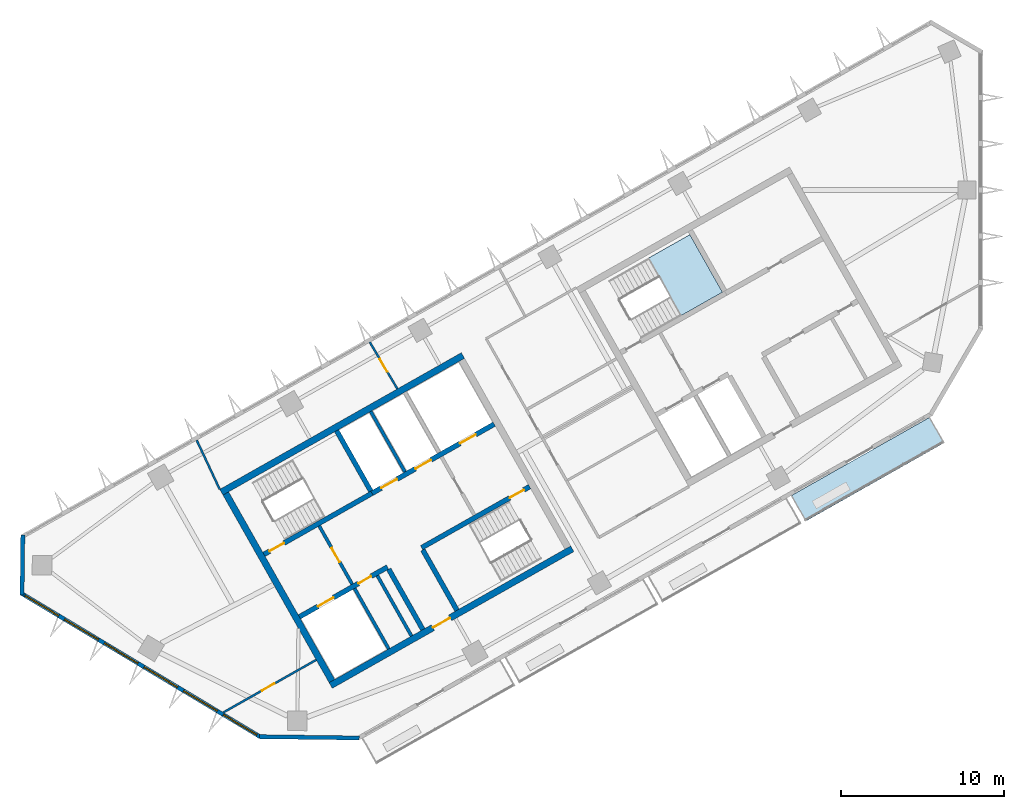
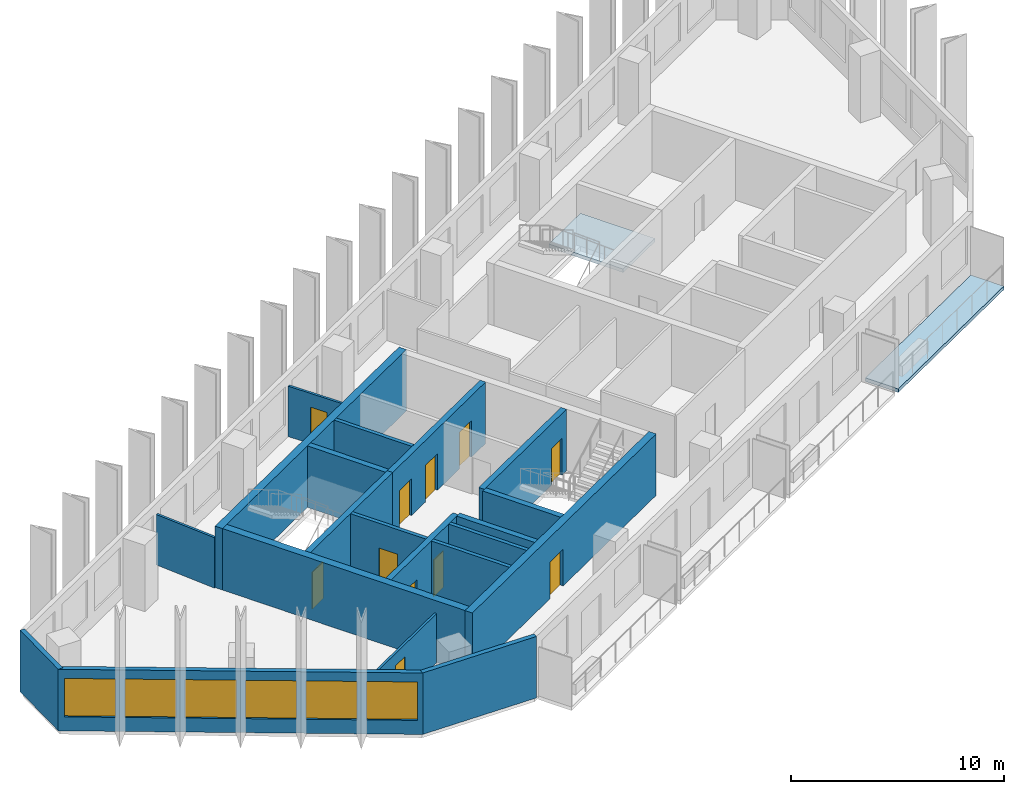
# One storey, part 2 of 8: 20 walls, 11 doors, 6 windows, 2 slabs, 17 openings, 1 element without a shape of its own.
"""IFC4 building model written with IfcOpenShell, lengths in metres."""

from ifc_helpers import new_model, si_unit, direction, frame, frame_2d, origin, place, context, subcontext, project, spatial, polyline, rectangle, outline, extrude, material, layer, layer_set, type_object, element, fill, aggregate, save


model = new_model("IFC4")

# Units and contexts
model_context = context("Model", 3, precision=1e-05, world=origin(), true_north=direction((0.0, 1.0)))
body_context = subcontext(model_context, "Body", "Model", "MODEL_VIEW")
ifc_project = project(units=[si_unit("LENGTHUNIT", "METRE"), si_unit("AREAUNIT", "SQUARE_METRE"), si_unit("VOLUMEUNIT", "CUBIC_METRE"), si_unit("PLANEANGLEUNIT", "RADIAN"), si_unit("MASSUNIT", "GRAM", prefix="KILO")], contexts=[model_context])

# Site, building, storey
site_placement = place(None, origin())
site = spatial("IfcSite", under=ifc_project, at=site_placement, CompositionType="ELEMENT")
building_placement = place(site_placement, origin())
building = spatial("IfcBuilding", under=site, at=building_placement, Name="Binnacle Exchange Tower", CompositionType="ELEMENT")
storey_placement = place(building_placement, frame((0.0, 0.0, 277.89990234375)))
storey = spatial("IfcBuildingStorey", under=building, at=storey_placement, Name="L62", CompositionType="ELEMENT", Elevation=277.89990234375)

# Slab
ifc_material_1 = material(Name="Concrete C35/45", Category="concrete")
ifc_layer_1 = layer(ifc_material_1, 0.199951171875)
ifc_layer_set_1 = layer_set([ifc_layer_1], Name="BALCONY SLAB 200")
slab_type_1 = type_object("IfcSlabType", Name="BALCONY SLAB 200", PredefinedType="FLOOR", material=ifc_layer_set_1)
slab_1_placement = place(storey_placement, frame((0.0, 0.0, -0.199951171875)))
element("IfcSlab", 1, at=slab_1_placement, inside=storey, type_object=slab_type_1, Name="Balcony BA-H07-03 L62", PredefinedType="FLOOR", context=body_context, shape_type="SweptSolid", body=[
    extrude(outline(polyline([(-11.616943359375, 41.28369140625), (-3.115234375, 46.093994140625), (-2.22900390625, 44.527099609375), (-10.730712890625, 39.717041015625), (-11.616943359375, 41.28369140625)])), origin(), (0.0, 0.0, 1.0), 0.199951171875),
])

# Stair, slab
stair_type = type_object("IfcStairType", Name="STAIR 22 RISERS 173", PredefinedType="HALF_TURN_STAIR", material=ifc_material_1)
stair_placement = place(storey_placement, origin())
stair = element("IfcStair", 2, at=stair_placement, inside=storey, type_object=stair_type, Name="L62 Escape stair C1", PredefinedType="HALF_TURN_STAIR")
ifc_layer_2 = layer(ifc_material_1, 0.199951171875)
ifc_layer_set_2 = layer_set([ifc_layer_2], Name="STAIR LANDING 200")
slab_type_2 = type_object("IfcSlabType", Name="STAIR LANDING 200", PredefinedType="LANDING", material=ifc_layer_set_2)
slab_2_placement = place(storey_placement, frame((0.0, 0.0, 1.7001953125)))
slab_2 = element("IfcSlab", 3, at=slab_2_placement, type_object=slab_type_2, Name="STC1 landing 1", PredefinedType="LANDING", context=body_context, shape_type="SweptSolid", body=[
    extrude(outline(polyline([(-18.364013671875, 52.31005859375), (-15.822509765625, 53.748046875), (-17.81689453125, 57.27294921875), (-20.3583984375, 55.8349609375), (-18.364013671875, 52.31005859375)])), origin(), (0.0, 0.0, 1.0), 0.199951171875),
])
aggregate(stair, [slab_2])

# Wall, openings, doors
ifc_material_2 = material(Name="Concrete C70/85", Category="concrete")
ifc_layer_3 = layer(ifc_material_2, 0.300048828125)
ifc_layer_set_3 = layer_set([ifc_layer_3], Name="Core wall - front 300")
wall_type_1 = type_object("IfcWallType", Name="Core wall - front 300", PredefinedType="SOLIDWALL", material=ifc_layer_set_3)
wall_1_placement = place(storey_placement, frame((-41.72998046875, 33.862548828125, 0.0), z_axis=(0.0, 0.0, 1.0), x_axis=(0.870350800578, 0.492432212525, 0.0)))
wall_1 = element("IfcWall", 4, at=wall_1_placement, inside=storey, type_object=wall_type_1, Name="Core wall CRWA2", PredefinedType="SOLIDWALL", context=body_context, shape_type="SweptSolid", body=[
    extrude(rectangle(XDim=6.19970703125, YDim=0.300048828125, at=frame_2d((3.099853515625, 0.0))), origin(), (0.0, 0.0, 1.0), 3.52001953125),
])
opening_1_placement = place(wall_1_placement, frame((1.300048828125, 0.0, 0.0)))
opening_1 = element("IfcOpeningElement", 5, at=opening_1_placement, cuts=wall_1, Name="Opening LD12", PredefinedType="OPENING", context=body_context, shape_type="SweptSolid", body=[
    extrude(rectangle(XDim=1.10009765625, YDim=2.10009765625, at=frame_2d((0.550048828125, 1.050048828125))), frame((0.0, 0.159912109375, 0.0), z_axis=(0.0, -1.0, 0.0), x_axis=(1.0, 0.0, 0.0)), (0.0, 0.0, 1.0), 0.320068359375),
])
opening_2_placement = place(wall_1_placement, frame((4.14990234375, 0.0, 0.0)))
opening_2 = element("IfcOpeningElement", 6, at=opening_2_placement, cuts=wall_1, Name="Opening DA14", PredefinedType="OPENING", context=body_context, shape_type="SweptSolid", body=[
    extrude(rectangle(XDim=0.89990234375, YDim=2.10009765625, at=frame_2d((0.449951171875, 1.050048828125))), frame((0.0, 0.159912109375, 0.0), z_axis=(0.0, -1.0, 0.0), x_axis=(1.0, 0.0, 0.0)), (0.0, 0.0, 1.0), 0.320068359375),
])
ifc_material_3 = material(Name="Steel door leaf", Category="steel")
door_type_1 = type_object("IfcDoorType", Name="Fire door - lift landing 1100", OperationType="NOTDEFINED", PredefinedType="DOOR", material=ifc_material_3)
door_1_placement = place(opening_1_placement, origin())
door_1 = element("IfcDoor", 7, at=door_1_placement, inside=storey, type_object=door_type_1, Name="Landing door LD12 L62", OperationType="DOUBLE_DOOR_SLIDING", OverallHeight=2.10009765625, OverallWidth=1.10009765625, PredefinedType="DOOR", context=body_context, shape_type="SweptSolid", body=[
    extrude(rectangle(XDim=1.10009765625, YDim=2.10009765625, at=frame_2d((0.550048828125, 1.050048828125))), frame((0.0, 0.02490234375, 0.0), z_axis=(0.0, -1.0, 0.0), x_axis=(1.0, 0.0, 0.0)), (0.0, 0.0, 1.0), 0.050048828125),
])
fill(opening_1, door_1)
door_type_2 = type_object("IfcDoorType", Name="Fire door 900", OperationType="NOTDEFINED", PredefinedType="DOOR", material=ifc_material_3)
door_2_placement = place(opening_2_placement, frame((0.89990234375, 0.0, 0.0), z_axis=(0.0, 0.0, 1.0), x_axis=(-1.0, 0.0, 0.0)))
door_2 = element("IfcDoor", 8, at=door_2_placement, inside=storey, type_object=door_type_2, Name="Core room door IT STORE", OperationType="SINGLE_SWING_LEFT", OverallHeight=2.10009765625, OverallWidth=0.89990234375, PredefinedType="DOOR", context=body_context, shape_type="SweptSolid", body=[
    extrude(rectangle(XDim=0.89990234375, YDim=2.10009765625, at=frame_2d((0.449951171875, 1.050048828125))), frame((0.0, 0.02490234375, 0.0), z_axis=(0.0, -1.0, 0.0), x_axis=(1.0, 0.0, 0.0)), (0.0, 0.0, 1.0), 0.050048828125),
])
fill(opening_2, door_2)

wall_2_placement = place(storey_placement, frame((-37.281982421875, 41.4345703125, 0.0), z_axis=(0.0, 0.0, 1.0), x_axis=(0.870361315115, 0.492413628113, 0.0)))
wall_2 = element("IfcWall", 9, at=wall_2_placement, inside=storey, type_object=wall_type_1, Name="Core wall CRWA5", PredefinedType="SOLIDWALL", context=body_context, shape_type="SweptSolid", body=[
    extrude(rectangle(XDim=8.599609375, YDim=0.300048828125, at=frame_2d((4.2998046875, 0.0))), origin(), (0.0, 0.0, 1.0), 3.52001953125),
])
opening_3_placement = place(wall_2_placement, frame((0.650146484375, 0.0, 0.0)))
opening_3 = element("IfcOpeningElement", 10, at=opening_3_placement, cuts=wall_2, Name="Opening LD9", PredefinedType="OPENING", context=body_context, shape_type="SweptSolid", body=[
    extrude(rectangle(XDim=1.10009765625, YDim=2.10009765625, at=frame_2d((0.550048828125, 1.050048828125))), frame((0.0, 0.159912109375, 0.0), z_axis=(0.0, -1.0, 0.0), x_axis=(1.0, 0.0, 0.0)), (0.0, 0.0, 1.0), 0.320068359375),
])
opening_4_placement = place(wall_2_placement, frame((3.050048828125, 0.0, 0.0)))
opening_4 = element("IfcOpeningElement", 11, at=opening_4_placement, cuts=wall_2, Name="Opening LD10", PredefinedType="OPENING", context=body_context, shape_type="SweptSolid", body=[
    extrude(rectangle(XDim=1.10009765625, YDim=2.10009765625, at=frame_2d((0.550048828125, 1.050048828125))), frame((0.0, 0.159912109375, 0.0), z_axis=(0.0, -1.0, 0.0), x_axis=(1.0, 0.0, 0.0)), (0.0, 0.0, 1.0), 0.320068359375),
])
opening_5_placement = place(wall_2_placement, frame((6.199951171875, 0.0, 0.0)))
opening_5 = element("IfcOpeningElement", 12, at=opening_5_placement, cuts=wall_2, Name="Opening LD13", PredefinedType="OPENING", context=body_context, shape_type="SweptSolid", body=[
    extrude(rectangle(XDim=1.10009765625, YDim=2.10009765625, at=frame_2d((0.550048828125, 1.050048828125))), frame((0.0, 0.159912109375, 0.0), z_axis=(0.0, -1.0, 0.0), x_axis=(1.0, 0.0, 0.0)), (0.0, 0.0, 1.0), 0.320068359375),
])
door_3_placement = place(opening_3_placement, origin())
door_3 = element("IfcDoor", 13, at=door_3_placement, inside=storey, type_object=door_type_1, Name="Landing door LD9 L62", OperationType="DOUBLE_DOOR_SLIDING", OverallHeight=2.10009765625, OverallWidth=1.10009765625, PredefinedType="DOOR", context=body_context, shape_type="SweptSolid", body=[
    extrude(rectangle(XDim=1.10009765625, YDim=2.10009765625, at=frame_2d((0.550048828125, 1.050048828125))), frame((0.0, 0.02490234375, 0.0), z_axis=(0.0, -1.0, 0.0), x_axis=(1.0, 0.0, 0.0)), (0.0, 0.0, 1.0), 0.050048828125),
])
fill(opening_3, door_3)
door_4_placement = place(opening_4_placement, origin())
door_4 = element("IfcDoor", 14, at=door_4_placement, inside=storey, type_object=door_type_1, Name="Landing door LD10 L62", OperationType="DOUBLE_DOOR_SLIDING", OverallHeight=2.10009765625, OverallWidth=1.10009765625, PredefinedType="DOOR", context=body_context, shape_type="SweptSolid", body=[
    extrude(rectangle(XDim=1.10009765625, YDim=2.10009765625, at=frame_2d((0.550048828125, 1.050048828125))), frame((0.0, 0.02490234375, 0.0), z_axis=(0.0, -1.0, 0.0), x_axis=(1.0, 0.0, 0.0)), (0.0, 0.0, 1.0), 0.050048828125),
])
fill(opening_4, door_4)
door_5_placement = place(opening_5_placement, origin())
door_5 = element("IfcDoor", 15, at=door_5_placement, inside=storey, type_object=door_type_1, Name="Landing door LD13 L62", OperationType="DOUBLE_DOOR_SLIDING", OverallHeight=2.10009765625, OverallWidth=1.10009765625, PredefinedType="DOOR", context=body_context, shape_type="SweptSolid", body=[
    extrude(rectangle(XDim=1.10009765625, YDim=2.10009765625, at=frame_2d((0.550048828125, 1.050048828125))), frame((0.0, 0.02490234375, 0.0), z_axis=(0.0, -1.0, 0.0), x_axis=(1.0, 0.0, 0.0)), (0.0, 0.0, 1.0), 0.050048828125),
])
fill(opening_5, door_5)

# Wall
wall_3_placement = place(storey_placement, frame((-36.260009765625, 36.784912109375, 0.0), z_axis=(0.0, 0.0, 1.0), x_axis=(0.492422543467, -0.870356271124, 0.0)))
element("IfcWall", 16, at=wall_3_placement, inside=storey, type_object=wall_type_1, Name="Core wall CRWA13", PredefinedType="SOLIDWALL", context=body_context, shape_type="SweptSolid", body=[
    extrude(rectangle(XDim=4.25, YDim=0.300048828125, at=frame_2d((2.125, 0.0))), origin(), (0.0, 0.0, 1.0), 3.52001953125),
])

# Wall, opening, door
ifc_layer_4 = layer(ifc_material_2, 0.39990234375)
ifc_layer_set_4 = layer_set([ifc_layer_4], Name="Core wall - outer 400")
wall_type_2 = type_object("IfcWallType", Name="Core wall - outer 400", PredefinedType="SOLIDWALL", material=ifc_layer_set_4)
wall_4_placement = place(storey_placement, frame((-39.81298828125, 29.661865234375, 0.0), z_axis=(0.0, 0.0, 1.0), x_axis=(0.870350116061, 0.492433422375, 0.0)))
wall_4 = element("IfcWall", 17, at=wall_4_placement, inside=storey, type_object=wall_type_2, Name="Core wall CRWA1", PredefinedType="SOLIDWALL", context=body_context, shape_type="SweptSolid", body=[
    extrude(rectangle(XDim=17.0, YDim=0.39990234375, at=frame_2d((8.5, 0.0))), origin(), (0.0, 0.0, 1.0), 3.52001953125),
])
opening_6_placement = place(wall_4_placement, frame((7.199951171875, 0.0, 0.0)))
opening_6 = element("IfcOpeningElement", 18, at=opening_6_placement, cuts=wall_4, Name="Opening DA7", PredefinedType="OPENING", context=body_context, shape_type="SweptSolid", body=[
    extrude(rectangle(XDim=1.199951171875, YDim=2.10009765625, at=frame_2d((0.60009765625, 1.050048828125))), frame((0.0, 0.2099609375, 0.0), z_axis=(0.0, -1.0, 0.0), x_axis=(1.0, 0.0, 0.0)), (0.0, 0.0, 1.0), 0.419921875),
])
door_type_3 = type_object("IfcDoorType", Name="Fire door 1200", OperationType="NOTDEFINED", PredefinedType="DOOR", material=ifc_material_3)
door_6_placement = place(opening_6_placement, frame((1.199951171875, 0.0, 0.0), z_axis=(0.0, 0.0, 1.0), x_axis=(-1.0, 0.0, 0.0)))
door_6 = element("IfcDoor", 19, at=door_6_placement, inside=storey, type_object=door_type_3, Name="Lift lobby entrance door core A", OperationType="SINGLE_SWING_RIGHT", OverallHeight=2.10009765625, OverallWidth=1.199951171875, PredefinedType="DOOR", context=body_context, shape_type="SweptSolid", body=[
    extrude(rectangle(XDim=1.199951171875, YDim=2.10009765625, at=frame_2d((0.60009765625, 1.050048828125))), frame((0.0, 0.02490234375, 0.0), z_axis=(0.0, -1.0, 0.0), x_axis=(1.0, 0.0, 0.0)), (0.0, 0.0, 1.0), 0.050048828125),
])
fill(opening_6, door_6)

# Walls
wall_5_placement = place(storey_placement, frame((-46.510009765625, 41.498779296875, 0.0), z_axis=(0.0, 0.0, 1.0), x_axis=(0.870356271124, 0.492422543467, 0.0)))
element("IfcWall", 20, at=wall_5_placement, inside=storey, type_object=wall_type_2, Name="Core wall CRWA6", PredefinedType="SOLIDWALL", context=body_context, shape_type="SweptSolid", body=[
    extrude(rectangle(XDim=16.999755859375, YDim=0.39990234375, at=frame_2d((8.5, 0.0))), origin(), (0.0, 0.0, 1.0), 3.52001953125),
])
wall_6_placement = place(storey_placement, frame((-46.237548828125, 41.423095703125, 0.0), z_axis=(0.0, 0.0, 1.0), x_axis=(0.492421663121, -0.870356769198, 0.0)))
element("IfcWall", 21, at=wall_6_placement, inside=storey, type_object=wall_type_2, Name="Core wall CRWA7", PredefinedType="SOLIDWALL", context=body_context, shape_type="SweptSolid", body=[
    extrude(rectangle(XDim=13.199951171875, YDim=0.39990234375, at=frame_2d((6.60009765625, 0.0))), origin(), (0.0, 0.0, 1.0), 3.52001953125),
])

# Wall, opening, door
ifc_layer_5 = layer(ifc_material_2, 0.300048828125)
ifc_layer_set_5 = layer_set([ifc_layer_5], Name="Core wall - stair 300")
wall_type_3 = type_object("IfcWallType", Name="Core wall - stair 300", PredefinedType="SOLIDWALL", material=ifc_layer_set_5)
wall_7_placement = place(storey_placement, frame((-34.2451171875, 38.097412109375, 0.0), z_axis=(0.0, 0.0, 1.0), x_axis=(0.870356351998, 0.492422400523, 0.0)))
wall_7 = element("IfcWall", 22, at=wall_7_placement, inside=storey, type_object=wall_type_3, Name="Core wall CRWA3", PredefinedType="SOLIDWALL", context=body_context, shape_type="SweptSolid", body=[
    extrude(rectangle(XDim=7.60009765625, YDim=0.300048828125, at=frame_2d((3.800048828125, 0.0))), origin(), (0.0, 0.0, 1.0), 3.52001953125),
])
opening_7_placement = place(wall_7_placement, frame((6.199951171875, 0.0, 0.0)))
opening_7 = element("IfcOpeningElement", 23, at=opening_7_placement, cuts=wall_7, Name="Opening DA2", PredefinedType="OPENING", context=body_context, shape_type="SweptSolid", body=[
    extrude(rectangle(XDim=1.0, YDim=2.10009765625, at=frame_2d((0.5, 1.050048828125))), frame((0.0, 0.159912109375, 0.0), z_axis=(0.0, -1.0, 0.0), x_axis=(1.0, 0.0, 0.0)), (0.0, 0.0, 1.0), 0.320068359375),
])
door_type_4 = type_object("IfcDoorType", Name="Fire door 1000", OperationType="NOTDEFINED", PredefinedType="DOOR", material=ifc_material_3)
door_7_placement = place(opening_7_placement, frame((1.0, 0.0, 0.0), z_axis=(0.0, 0.0, 1.0), x_axis=(-1.0, 0.0, 0.0)))
door_7 = element("IfcDoor", 24, at=door_7_placement, inside=storey, type_object=door_type_4, Name="Stair door ST-A2", OperationType="SINGLE_SWING_LEFT", OverallHeight=2.10009765625, OverallWidth=1.0, PredefinedType="DOOR", context=body_context, shape_type="SweptSolid", body=[
    extrude(rectangle(XDim=1.0, YDim=2.10009765625, at=frame_2d((0.5, 1.050048828125))), frame((0.0, 0.02490234375, 0.0), z_axis=(0.0, -1.0, 0.0), x_axis=(1.0, 0.0, 0.0)), (0.0, 0.0, 1.0), 0.050048828125),
])
fill(opening_7, door_7)

wall_8_placement = place(storey_placement, frame((-43.896728515625, 37.692138671875, 0.0), z_axis=(0.0, 0.0, 1.0), x_axis=(0.870356351998, 0.492422400523, 0.0)))
wall_8 = element("IfcWall", 25, at=wall_8_placement, inside=storey, type_object=wall_type_3, Name="Core wall CRWA4", PredefinedType="SOLIDWALL", context=body_context, shape_type="SweptSolid", body=[
    extrude(rectangle(XDim=7.60009765625, YDim=0.300048828125, at=frame_2d((3.800048828125, 0.0))), origin(), (0.0, 0.0, 1.0), 3.52001953125),
])
opening_8_placement = place(wall_8_placement, frame((0.39990234375, 0.0, 0.0)))
opening_8 = element("IfcOpeningElement", 26, at=opening_8_placement, cuts=wall_8, Name="Opening DA1", PredefinedType="OPENING", context=body_context, shape_type="SweptSolid", body=[
    extrude(rectangle(XDim=1.0, YDim=2.10009765625, at=frame_2d((0.5, 1.050048828125))), frame((0.0, 0.159912109375, 0.0), z_axis=(0.0, -1.0, 0.0), x_axis=(1.0, 0.0, 0.0)), (0.0, 0.0, 1.0), 0.320068359375),
])
door_8_placement = place(opening_8_placement, origin())
door_8 = element("IfcDoor", 27, at=door_8_placement, inside=storey, type_object=door_type_4, Name="Stair door ST-A1", OperationType="SINGLE_SWING_LEFT", OverallHeight=2.10009765625, OverallWidth=1.0, PredefinedType="DOOR", context=body_context, shape_type="SweptSolid", body=[
    extrude(rectangle(XDim=1.0, YDim=2.10009765625, at=frame_2d((0.5, 1.050048828125))), frame((0.0, 0.02490234375, 0.0), z_axis=(0.0, -1.0, 0.0), x_axis=(1.0, 0.0, 0.0)), (0.0, 0.0, 1.0), 0.050048828125),
])
fill(opening_8, door_8)

# Walls
for number, where, z_axis, x_axis, name in (
    (28, (-39.44873046875, 45.263916015625, 0.0), (0.0, 0.0, 1.0), (0.492422543467, -0.870356271124, 0.0), "Core wall CRWA14"),
    (29, (-34.171142578125, 37.966796875, 0.0), (0.0, 0.0, 1.0), (0.492422543467, -0.870356271124, 0.0), "Core wall CRWA16"),
):
    element("IfcWall", number, at=place(storey_placement, frame(where, z_axis=z_axis, x_axis=x_axis)), inside=storey, type_object=wall_type_3, Name=name, PredefinedType="SOLIDWALL", context=body_context, shape_type="SweptSolid", body=[
        extrude(rectangle(XDim=4.25, YDim=0.300048828125, at=frame_2d((2.125, 0.0))), origin(), (0.0, 0.0, 1.0), 3.52001953125),
    ])
ifc_material_4 = material(Name="Bronze aluminium cladding", Category="aluminium")
ifc_layer_6 = layer(ifc_material_4, 0.25)
ifc_layer_set_6 = layer_set([ifc_layer_6], Name="External wall - window wall 250")
wall_type_4 = type_object("IfcWallType", Name="External wall - window wall 250", PredefinedType="STANDARD", material=ifc_layer_set_6)
wall_9_placement = place(storey_placement, frame((-58.717041015625, 35.208251953125, 0.0), z_axis=(0.0, 0.0, 1.0), x_axis=(0.01310512158, 0.999914124207, 0.0)))
element("IfcWall", 30, at=wall_9_placement, inside=storey, type_object=wall_type_4, Name="External wall EW-H04 L62", PredefinedType="STANDARD", context=body_context, shape_type="SweptSolid", body=[
    extrude(rectangle(XDim=3.669921875, YDim=0.25, at=frame_2d((1.8349609375, 0.0))), origin(), (0.0, 0.0, 1.0), 3.52001953125),
])

# Wall, openings, windows
wall_10_placement = place(storey_placement, frame((-44.115234375, 26.507080078125, 0.0), z_axis=(0.0, 0.0, 1.0), x_axis=(-0.857166583633, 0.515039268311, 0.0)))
wall_10 = element("IfcWall", 31, at=wall_10_placement, inside=storey, type_object=wall_type_4, Name="External wall EW-H05 L62", PredefinedType="STANDARD", context=body_context, shape_type="SweptSolid", body=[
    extrude(rectangle(XDim=17.105712890625, YDim=0.25, at=frame_2d((8.552734375, 0.0))), origin(), (0.0, 0.0, 1.0), 3.52001953125),
])
opening_9_placement = place(wall_10_placement, frame((14.4169921875, 0.0, 0.800048828125)))
opening_9 = element("IfcOpeningElement", 32, at=opening_9_placement, cuts=wall_10, Name="Opening WR2", PredefinedType="OPENING", context=body_context, shape_type="SweptSolid", body=[
    extrude(rectangle(XDim=2.39990234375, YDim=2.199951171875, at=frame_2d((1.199951171875, 1.10009765625))), frame((0.0, 0.135009765625, 0.0), z_axis=(0.0, -1.0, 0.0), x_axis=(1.0, 0.0, 0.0)), (0.0, 0.0, 1.0), 0.27001953125),
])
opening_10_placement = place(wall_10_placement, frame((11.583740234375, 0.0, 0.800048828125)))
opening_10 = element("IfcOpeningElement", 33, at=opening_10_placement, cuts=wall_10, Name="Opening WR2", PredefinedType="OPENING", context=body_context, shape_type="SweptSolid", body=[
    extrude(rectangle(XDim=2.39990234375, YDim=2.199951171875, at=frame_2d((1.199951171875, 1.10009765625))), frame((0.0, 0.135009765625, 0.0), z_axis=(0.0, -1.0, 0.0), x_axis=(1.0, 0.0, 0.0)), (0.0, 0.0, 1.0), 0.27001953125),
])
opening_11_placement = place(wall_10_placement, frame((8.75048828125, 0.0, 0.800048828125)))
opening_11 = element("IfcOpeningElement", 34, at=opening_11_placement, cuts=wall_10, Name="Opening WR2", PredefinedType="OPENING", context=body_context, shape_type="SweptSolid", body=[
    extrude(rectangle(XDim=2.39990234375, YDim=2.199951171875, at=frame_2d((1.199951171875, 1.10009765625))), frame((0.0, 0.135009765625, 0.0), z_axis=(0.0, -1.0, 0.0), x_axis=(1.0, 0.0, 0.0)), (0.0, 0.0, 1.0), 0.27001953125),
])
opening_12_placement = place(wall_10_placement, frame((5.9169921875, 0.0, 0.800048828125)))
opening_12 = element("IfcOpeningElement", 35, at=opening_12_placement, cuts=wall_10, Name="Opening WR2", PredefinedType="OPENING", context=body_context, shape_type="SweptSolid", body=[
    extrude(rectangle(XDim=2.39990234375, YDim=2.199951171875, at=frame_2d((1.199951171875, 1.10009765625))), frame((0.0, 0.135009765625, 0.0), z_axis=(0.0, -1.0, 0.0), x_axis=(1.0, 0.0, 0.0)), (0.0, 0.0, 1.0), 0.27001953125),
])
opening_13_placement = place(wall_10_placement, frame((3.083740234375, 0.0, 0.800048828125)))
opening_13 = element("IfcOpeningElement", 36, at=opening_13_placement, cuts=wall_10, Name="Opening WR2", PredefinedType="OPENING", context=body_context, shape_type="SweptSolid", body=[
    extrude(rectangle(XDim=2.39990234375, YDim=2.199951171875, at=frame_2d((1.199951171875, 1.10009765625))), frame((0.0, 0.135009765625, 0.0), z_axis=(0.0, -1.0, 0.0), x_axis=(1.0, 0.0, 0.0)), (0.0, 0.0, 1.0), 0.27001953125),
])
opening_14_placement = place(wall_10_placement, frame((0.25048828125, 0.0, 0.800048828125)))
opening_14 = element("IfcOpeningElement", 37, at=opening_14_placement, cuts=wall_10, Name="Opening WR2", PredefinedType="OPENING", context=body_context, shape_type="SweptSolid", body=[
    extrude(rectangle(XDim=2.39990234375, YDim=2.199951171875, at=frame_2d((1.199951171875, 1.10009765625))), frame((0.0, 0.135009765625, 0.0), z_axis=(0.0, -1.0, 0.0), x_axis=(1.0, 0.0, 0.0)), (0.0, 0.0, 1.0), 0.27001953125),
])
ifc_material_5 = material(Name="Bronze anodised aluminium frame", Category="aluminium")
window_type = type_object("IfcWindowType", Name="WR2 WINDOW 2400x2200", PartitioningType="SINGLE_PANEL", PredefinedType="WINDOW", material=ifc_material_5)
window_1_placement = place(opening_9_placement, origin())
window_1 = element("IfcWindow", 38, at=window_1_placement, inside=storey, type_object=window_type, Name="Window WR2 L62", OverallHeight=2.199951171875, OverallWidth=2.39990234375, PartitioningType="SINGLE_PANEL", PredefinedType="WINDOW", context=body_context, shape_type="SweptSolid", body=[
    extrude(rectangle(XDim=2.39990234375, YDim=2.199951171875, at=frame_2d((1.199951171875, 1.10009765625))), frame((0.0, 0.030029296875, 0.0), z_axis=(0.0, -1.0, 0.0), x_axis=(1.0, 0.0, 0.0)), (0.0, 0.0, 1.0), 0.06005859375),
])
fill(opening_9, window_1)
window_2_placement = place(opening_10_placement, origin())
window_2 = element("IfcWindow", 39, at=window_2_placement, inside=storey, type_object=window_type, Name="Window WR2 L62", OverallHeight=2.199951171875, OverallWidth=2.39990234375, PartitioningType="SINGLE_PANEL", PredefinedType="WINDOW", context=body_context, shape_type="SweptSolid", body=[
    extrude(rectangle(XDim=2.39990234375, YDim=2.199951171875, at=frame_2d((1.199951171875, 1.10009765625))), frame((0.0, 0.030029296875, 0.0), z_axis=(0.0, -1.0, 0.0), x_axis=(1.0, 0.0, 0.0)), (0.0, 0.0, 1.0), 0.06005859375),
])
fill(opening_10, window_2)
window_3_placement = place(opening_11_placement, origin())
window_3 = element("IfcWindow", 40, at=window_3_placement, inside=storey, type_object=window_type, Name="Window WR2 L62", OverallHeight=2.199951171875, OverallWidth=2.39990234375, PartitioningType="SINGLE_PANEL", PredefinedType="WINDOW", context=body_context, shape_type="SweptSolid", body=[
    extrude(rectangle(XDim=2.39990234375, YDim=2.199951171875, at=frame_2d((1.199951171875, 1.10009765625))), frame((0.0, 0.030029296875, 0.0), z_axis=(0.0, -1.0, 0.0), x_axis=(1.0, 0.0, 0.0)), (0.0, 0.0, 1.0), 0.06005859375),
])
fill(opening_11, window_3)
window_4_placement = place(opening_12_placement, origin())
window_4 = element("IfcWindow", 41, at=window_4_placement, inside=storey, type_object=window_type, Name="Window WR2 L62", OverallHeight=2.199951171875, OverallWidth=2.39990234375, PartitioningType="SINGLE_PANEL", PredefinedType="WINDOW", context=body_context, shape_type="SweptSolid", body=[
    extrude(rectangle(XDim=2.39990234375, YDim=2.199951171875, at=frame_2d((1.199951171875, 1.10009765625))), frame((0.0, 0.030029296875, 0.0), z_axis=(0.0, -1.0, 0.0), x_axis=(1.0, 0.0, 0.0)), (0.0, 0.0, 1.0), 0.06005859375),
])
fill(opening_12, window_4)
window_5_placement = place(opening_13_placement, origin())
window_5 = element("IfcWindow", 42, at=window_5_placement, inside=storey, type_object=window_type, Name="Window WR2 L62", OverallHeight=2.199951171875, OverallWidth=2.39990234375, PartitioningType="SINGLE_PANEL", PredefinedType="WINDOW", context=body_context, shape_type="SweptSolid", body=[
    extrude(rectangle(XDim=2.39990234375, YDim=2.199951171875, at=frame_2d((1.199951171875, 1.10009765625))), frame((0.0, 0.030029296875, 0.0), z_axis=(0.0, -1.0, 0.0), x_axis=(1.0, 0.0, 0.0)), (0.0, 0.0, 1.0), 0.06005859375),
])
fill(opening_13, window_5)
window_6_placement = place(opening_14_placement, origin())
window_6 = element("IfcWindow", 43, at=window_6_placement, inside=storey, type_object=window_type, Name="Window WR2 L62", OverallHeight=2.199951171875, OverallWidth=2.39990234375, PartitioningType="SINGLE_PANEL", PredefinedType="WINDOW", context=body_context, shape_type="SweptSolid", body=[
    extrude(rectangle(XDim=2.39990234375, YDim=2.199951171875, at=frame_2d((1.199951171875, 1.10009765625))), frame((0.0, 0.030029296875, 0.0), z_axis=(0.0, -1.0, 0.0), x_axis=(1.0, 0.0, 0.0)), (0.0, 0.0, 1.0), 0.06005859375),
])
fill(opening_14, window_6)

# Wall
wall_11_placement = place(storey_placement, frame((-38.06396484375, 26.44482421875, 0.0), z_axis=(0.0, 0.0, 1.0), x_axis=(-0.999914239143, 0.013096349097, 0.0)))
element("IfcWall", 44, at=wall_11_placement, inside=storey, type_object=wall_type_4, Name="External wall EW-H06 L62", PredefinedType="STANDARD", context=body_context, shape_type="SweptSolid", body=[
    extrude(rectangle(XDim=6.114501953125, YDim=0.25, at=frame_2d((3.05712890625, 0.0))), origin(), (0.0, 0.0, 1.0), 3.52001953125),
])

# Wall, opening, door
ifc_material_6 = material(Name="Masonry block wall", Category="masonry")
ifc_layer_7 = layer(ifc_material_6, 0.199951171875)
ifc_layer_set_7 = layer_set([ifc_layer_7], Name="Fire wall - vestibule 200")
wall_type_5 = type_object("IfcWallType", Name="Fire wall - vestibule 200", PredefinedType="PARTITIONING", material=ifc_layer_set_7)
wall_12_placement = place(storey_placement, frame((-40.515625, 39.4326171875, 0.0), z_axis=(0.0, 0.0, 1.0), x_axis=(0.492453559952, -0.87033872216, 0.0)))
wall_12 = element("IfcWall", 45, at=wall_12_placement, inside=storey, type_object=wall_type_5, Name="Core wall CRWA10", PredefinedType="PARTITIONING", context=body_context, shape_type="SweptSolid", body=[
    extrude(rectangle(XDim=4.099853515625, YDim=0.199951171875, at=frame_2d((2.0498046875, 0.0))), origin(), (0.0, 0.0, 1.0), 3.52001953125),
])
opening_15_placement = place(wall_12_placement, frame((1.550048828125, 0.0, 0.0)))
opening_15 = element("IfcOpeningElement", 46, at=opening_15_placement, cuts=wall_12, Name="Opening DA3", PredefinedType="OPENING", context=body_context, shape_type="SweptSolid", body=[
    extrude(rectangle(XDim=1.0, YDim=2.10009765625, at=frame_2d((0.5, 1.050048828125))), frame((0.0, 0.10986328125, 0.0), z_axis=(0.0, -1.0, 0.0), x_axis=(1.0, 0.0, 0.0)), (0.0, 0.0, 1.0), 0.219970703125),
])
door_9_placement = place(opening_15_placement, frame((1.0, 0.0, 0.0), z_axis=(0.0, 0.0, 1.0), x_axis=(-1.0, 0.0, 0.0)))
door_9 = element("IfcDoor", 47, at=door_9_placement, inside=storey, type_object=door_type_4, Name="Vestibule door VEST-W", OperationType="SINGLE_SWING_LEFT", OverallHeight=2.10009765625, OverallWidth=1.0, PredefinedType="DOOR", context=body_context, shape_type="SweptSolid", body=[
    extrude(rectangle(XDim=1.0, YDim=2.10009765625, at=frame_2d((0.5, 1.050048828125))), frame((0.0, 0.02490234375, 0.0), z_axis=(0.0, -1.0, 0.0), x_axis=(1.0, 0.0, 0.0)), (0.0, 0.0, 1.0), 0.050048828125),
])
fill(opening_15, door_9)

# Wall
ifc_material_7 = material(Name="Gypsum partition")
ifc_layer_8 = layer(ifc_material_7, 0.125)
ifc_layer_set_8 = layer_set([ifc_layer_8], Name="Partition 125")
wall_type_6 = type_object("IfcWallType", Name="Partition 125", PredefinedType="PARTITIONING", material=ifc_layer_set_8)
wall_13_placement = place(storey_placement, frame((-48.02197265625, 44.68701171875, 0.0), z_axis=(0.0, 0.0, 1.0), x_axis=(0.424510917438, -0.905422818895, 0.0)))
element("IfcWall", 48, at=wall_13_placement, inside=storey, type_object=wall_type_6, Name="Partition W01", PredefinedType="PARTITIONING", context=body_context, shape_type="SweptSolid", body=[
    extrude(rectangle(XDim=3.328857421875, YDim=0.125, at=frame_2d((1.66455078125, 0.0))), origin(), (0.0, 0.0, 1.0), 2.88818359375),
])

# Wall, opening, door
wall_14_placement = place(storey_placement, frame((-46.381103515625, 28.014892578125, 0.0), z_axis=(0.0, 0.0, 1.0), x_axis=(0.870364232693, 0.492408471139, 0.0)))
wall_14 = element("IfcWall", 49, at=wall_14_placement, inside=storey, type_object=wall_type_6, Name="Partition W02", PredefinedType="PARTITIONING", context=body_context, shape_type="SweptSolid", body=[
    extrude(rectangle(XDim=6.52734375, YDim=0.125, at=frame_2d((3.263671875, 0.0))), origin(), (0.0, 0.0, 1.0), 2.800048828125),
])
opening_16_placement = place(wall_14_placement, frame((2.699951171875, 0.0, 0.0)))
opening_16 = element("IfcOpeningElement", 50, at=opening_16_placement, cuts=wall_14, Name="Opening DL61-01", PredefinedType="OPENING", context=body_context, shape_type="SweptSolid", body=[
    extrude(rectangle(XDim=0.89990234375, YDim=2.10009765625, at=frame_2d((0.449951171875, 1.050048828125))), frame((0.0, 0.072509765625, 0.0), z_axis=(0.0, -1.0, 0.0), x_axis=(1.0, 0.0, 0.0)), (0.0, 0.0, 1.0), 0.14501953125),
])
ifc_material_8 = material(Name="Timber door leaf", Category="wood")
door_type_5 = type_object("IfcDoorType", Name="Door 900", OperationType="NOTDEFINED", PredefinedType="DOOR", material=ifc_material_8)
door_10_placement = place(opening_16_placement, origin())
door_10 = element("IfcDoor", 51, at=door_10_placement, inside=storey, type_object=door_type_5, Name="Door DL61-01", OperationType="SINGLE_SWING_LEFT", OverallHeight=2.10009765625, OverallWidth=0.89990234375, PredefinedType="DOOR", context=body_context, shape_type="SweptSolid", body=[
    extrude(rectangle(XDim=0.89990234375, YDim=2.10009765625, at=frame_2d((0.449951171875, 1.050048828125))), frame((0.0, 0.02490234375, 0.0), z_axis=(0.0, -1.0, 0.0), x_axis=(1.0, 0.0, 0.0)), (0.0, 0.0, 1.0), 0.050048828125),
])
fill(opening_16, door_10)

wall_15_placement = place(storey_placement, frame((-37.416015625, 50.68701171875, 0.0), z_axis=(0.0, 0.0, 1.0), x_axis=(0.508176683483, -0.861252842297, 0.0)))
wall_15 = element("IfcWall", 52, at=wall_15_placement, inside=storey, type_object=wall_type_6, Name="Partition W03", PredefinedType="PARTITIONING", context=body_context, shape_type="SweptSolid", body=[
    extrude(rectangle(XDim=3.31982421875, YDim=0.125, at=frame_2d((1.659912109375, 0.0))), origin(), (0.0, 0.0, 1.0), 2.88818359375),
])
opening_17_placement = place(wall_15_placement, frame((1.199951171875, 0.0, 0.0)))
opening_17 = element("IfcOpeningElement", 53, at=opening_17_placement, cuts=wall_15, Name="Opening DL61-02", PredefinedType="OPENING", context=body_context, shape_type="SweptSolid", body=[
    extrude(rectangle(XDim=0.89990234375, YDim=2.10009765625, at=frame_2d((0.449951171875, 1.050048828125))), frame((0.0, 0.072509765625, 0.0), z_axis=(0.0, -1.0, 0.0), x_axis=(1.0, 0.0, 0.0)), (0.0, 0.0, 1.0), 0.14501953125),
])
door_11_placement = place(opening_17_placement, frame((0.89990234375, 0.0, 0.0), z_axis=(0.0, 0.0, 1.0), x_axis=(-1.0, 0.0, 0.0)))
door_11 = element("IfcDoor", 54, at=door_11_placement, inside=storey, type_object=door_type_5, Name="Door DL61-02", OperationType="SINGLE_SWING_RIGHT", OverallHeight=2.10009765625, OverallWidth=0.89990234375, PredefinedType="DOOR", context=body_context, shape_type="SweptSolid", body=[
    extrude(rectangle(XDim=0.89990234375, YDim=2.10009765625, at=frame_2d((0.449951171875, 1.050048828125))), frame((0.0, 0.02490234375, 0.0), z_axis=(0.0, -1.0, 0.0), x_axis=(1.0, 0.0, 0.0)), (0.0, 0.0, 1.0), 0.050048828125),
])
fill(opening_17, door_11)

# Walls
ifc_layer_9 = layer(ifc_material_6, 0.199951171875)
ifc_layer_set_9 = layer_set([ifc_layer_9], Name="Riser wall 200")
wall_type_7 = type_object("IfcWallType", Name="Riser wall 200", PredefinedType="SOLIDWALL", material=ifc_layer_set_9)
wall_16_placement = place(storey_placement, frame((-36.956298828125, 36.39111328125, 0.0), z_axis=(0.0, 0.0, 1.0), x_axis=(0.492397924348, -0.870370199454, 0.0)))
element("IfcWall", 55, at=wall_16_placement, inside=storey, type_object=wall_type_7, Name="Core wall CRWA12", PredefinedType="SOLIDWALL", context=body_context, shape_type="SweptSolid", body=[
    extrude(rectangle(XDim=4.250244140625, YDim=0.199951171875, at=frame_2d((2.125, 0.0))), origin(), (0.0, 0.0, 1.0), 3.52001953125),
])
ifc_layer_10 = layer(ifc_material_6, 0.199951171875)
ifc_layer_set_10 = layer_set([ifc_layer_10], Name="Shaft wall 200")
wall_type_8 = type_object("IfcWallType", Name="Shaft wall 200", PredefinedType="SOLIDWALL", material=ifc_layer_set_10)
wall_17_placement = place(storey_placement, frame((-38.348876953125, 35.603271484375, 0.0), z_axis=(0.0, 0.0, 1.0), x_axis=(0.492397924348, -0.870370199454, 0.0)))
element("IfcWall", 56, at=wall_17_placement, inside=storey, type_object=wall_type_8, Name="Core wall CRWA9", PredefinedType="SOLIDWALL", context=body_context, shape_type="SweptSolid", body=[
    extrude(rectangle(XDim=4.250244140625, YDim=0.199951171875, at=frame_2d((2.125, 0.0))), origin(), (0.0, 0.0, 1.0), 3.52001953125),
])
wall_18_placement = place(storey_placement, frame((-37.35986328125, 46.44580078125, 0.0), z_axis=(0.0, 0.0, 1.0), x_axis=(0.492422543467, -0.870356271124, 0.0)))
element("IfcWall", 57, at=wall_18_placement, inside=storey, type_object=wall_type_8, Name="Core wall CRWA17", PredefinedType="SOLIDWALL", context=body_context, shape_type="SweptSolid", body=[
    extrude(rectangle(XDim=4.25, YDim=0.199951171875, at=frame_2d((2.125, 0.0))), origin(), (0.0, 0.0, 1.0), 3.52001953125),
])

save(model, "model.ifc")
